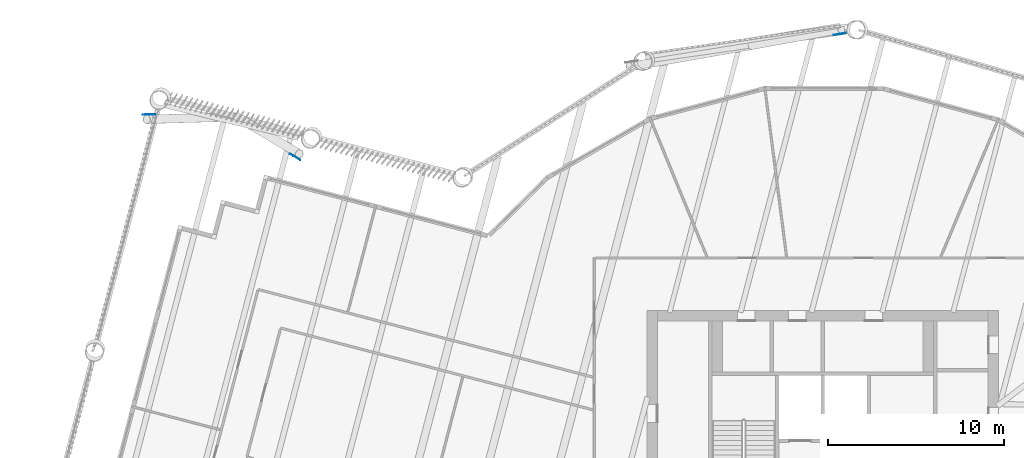
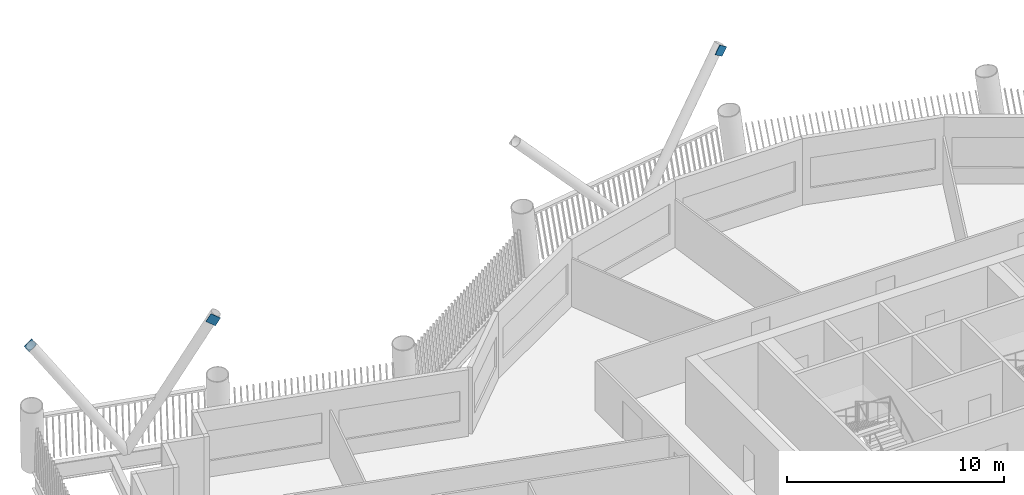
# One storey, part 13 of 21: 3 discrete accessories.
"""IFC4 building model written with IfcOpenShell, lengths in metres."""

import ifcopenshell
import ifcopenshell.guid

model = None  # the IFC model being written
_history = None  # IfcOwnerHistory: only IFC2X3 demands one
_inside = {}  # id of a spatial element -> (the spatial element, [elements in it])
_under = {}  # id of a project, library or spatial element -> (it, [spatial elements below it])
_declared = {}  # id of a project -> (the project, [libraries it declares])
_typed = {}  # id of a type object -> (the type object, [elements of that type])
_made_of = {}  # id of a material, layer set ... -> (it, [elements and type objects made of it])


def new_model(schema):
    """Start an empty IFC model of exactly this schema.

    Asked for "IFC4X3", IfcOpenShell would pick the latest addendum, in which some entities
    have other attributes; the version numbers below select the first issue.
    IFC2X3 requires an IfcOwnerHistory on every rooted entity: one is made here for all.
    """
    global model, _history
    if schema == "IFC4X3":
        model = ifcopenshell.file(schema_version=(4, 3, 0, 0))
    else:
        model = ifcopenshell.file(schema=schema)
    _inside.clear()
    _under.clear()
    _declared.clear()
    _typed.clear()
    _made_of.clear()
    _history = None
    if model.schema == "IFC2X3":
        org = make("IfcOrganization", Name="unknown")
        user = make(
            "IfcPersonAndOrganization",
            ThePerson=make("IfcPerson", FamilyName="unknown"),
            TheOrganization=org,
        )
        app = make(
            "IfcApplication",
            ApplicationDeveloper=org,
            Version="unknown",
            ApplicationFullName="unknown",
            ApplicationIdentifier="unknown",
        )
        _history = make(
            "IfcOwnerHistory",
            OwningUser=user,
            OwningApplication=app,
            ChangeAction="ADDED",
            CreationDate=0,
        )
    return model


def make(cls, **values):
    """One entity of the class cls with the attributes given. An attribute that is None is left unset."""
    return model.create_entity(
        cls, **{name: value for name, value in values.items() if value is not None}
    )


def rooted(cls, **values):
    """An entity with a GlobalId (a new one), such as an element, a storey or a relation."""
    return make(cls, GlobalId=ifcopenshell.guid.new(), OwnerHistory=_history, **values)


def si_unit(unit_type, name, prefix=None):
    """IfcSIUnit, for example si_unit("LENGTHUNIT", "METRE", prefix="MILLI")."""
    return make("IfcSIUnit", UnitType=unit_type, Prefix=prefix, Name=name)


def assignment(units):
    """IfcUnitAssignment: the units of a project."""
    return None if units is None else make("IfcUnitAssignment", Units=units)


def point(xyz):
    """IfcCartesianPoint."""
    return None if xyz is None else make("IfcCartesianPoint", Coordinates=xyz)


def direction(xyz):
    """IfcDirection."""
    return None if xyz is None else make("IfcDirection", DirectionRatios=xyz)


def frame(location, z_axis=None, x_axis=None):
    """IfcAxis2Placement3D, a coordinate frame: its origin and axes. An axis left out is left unset."""
    return make(
        "IfcAxis2Placement3D",
        Location=point(location),
        Axis=direction(z_axis),
        RefDirection=direction(x_axis),
    )


def frame_2d(location, x_axis=None):
    """IfcAxis2Placement2D, a coordinate frame in the plane: its origin and x axis."""
    return make(
        "IfcAxis2Placement2D", Location=point(location), RefDirection=direction(x_axis)
    )


def origin():
    """The frame at (0, 0, 0) with its axes left unset."""
    return frame((0.0, 0.0, 0.0))


def origin_2d():
    """The frame at (0, 0) in the plane with its x axis left unset."""
    return frame_2d((0.0, 0.0))


def place(relative_to, where):
    """IfcLocalPlacement: puts the frame where relative to a parent placement (None: the world)."""
    return make(
        "IfcLocalPlacement", PlacementRelTo=relative_to, RelativePlacement=where
    )


def context(
    kind, dimensions, precision=None, world=None, true_north=None, identifier=None
):
    """IfcGeometricRepresentationContext, for example the 3D "Model" context."""
    return make(
        "IfcGeometricRepresentationContext",
        ContextIdentifier=identifier,
        ContextType=kind,
        CoordinateSpaceDimension=dimensions,
        Precision=precision,
        WorldCoordinateSystem=world,
        TrueNorth=true_north,
    )


def subcontext(parent, identifier, kind, view, scale=None):
    """IfcGeometricRepresentationSubContext, for example "Body" below "Model"."""
    return make(
        "IfcGeometricRepresentationSubContext",
        ContextIdentifier=identifier,
        ContextType=kind,
        ParentContext=parent,
        TargetScale=scale,
        TargetView=view,
    )


def project(units=None, contexts=None):
    """IfcProject with its units and contexts."""
    return rooted(
        "IfcProject",
        Name="project",
        RepresentationContexts=contexts,
        UnitsInContext=assignment(units),
    )


def spatial(cls, under=None, at=None, **own):
    """A site, building, storey or space (cls), placed at a placement, below another one or the project."""
    s = rooted(cls, ObjectPlacement=at, **own)
    if under is not None:
        _under.setdefault(under.id(), (under, []))[1].append(s)
    return s


def profile(cls, at=None, kind="AREA", **sizes):
    """A parametric profile (cls). Its sizes go by their IFC names, for example OverallWidth=200.0."""
    return make(cls, ProfileType=kind, Position=at, **sizes)


def rectangle(**sizes):
    """IfcRectangleProfileDef."""
    return profile("IfcRectangleProfileDef", **sizes)


def extrude(swept, where, along, depth):
    """IfcExtrudedAreaSolid: the profile swept, set in the frame where, extruded along a direction by depth."""
    return make(
        "IfcExtrudedAreaSolid",
        SweptArea=swept,
        Position=where,
        ExtrudedDirection=direction(along),
        Depth=depth,
    )


def shape(context_of_items, identifier, shape_type, items):
    """IfcShapeRepresentation: the items that make up one representation, for example the "Body"."""
    return make(
        "IfcShapeRepresentation",
        ContextOfItems=context_of_items,
        RepresentationIdentifier=identifier,
        RepresentationType=shape_type,
        Items=items,
    )


def material(Name=None, Category=None):
    """IfcMaterial."""
    return make("IfcMaterial", Name=Name, Category=Category)


def material_profile(
    of_material, cross_section, Name=None, Category=None, Priority=None
):
    """IfcMaterialProfile: a cross section and its material."""
    return make(
        "IfcMaterialProfile",
        Name=Name,
        Material=of_material,
        Profile=cross_section,
        Priority=Priority,
        Category=Category,
    )


def profile_set(profiles, Name=None, composite=None):
    """IfcMaterialProfileSet."""
    return make(
        "IfcMaterialProfileSet",
        Name=Name,
        MaterialProfiles=profiles,
        CompositeProfile=composite,
    )


def made_of(thing, what):
    """Note that an element or type object is made of a material, layer set ...; save() writes the relation."""
    if what is not None:
        _made_of.setdefault(what.id(), (what, []))[1].append(thing)
    return thing


def type_object(cls, material=None, **own):
    """A type object (cls), such as IfcWallType, which elements share."""
    return made_of(rooted(cls, **own), material)


def element(
    cls,
    number,
    at=None,
    inside=None,
    cuts=None,
    type_object=None,
    material=None,
    context=None,
    identifier="Body",
    shape_type=None,
    held_by="IfcProductDefinitionShape",
    body=None,
    shapes=None,
    **own,
):
    """One element of the class cls, such as IfcWall. Its Tag is "e" and its number.

    at: its placement. inside: the storey or other place that contains it. cuts: it is an
    opening in that element (IfcRelVoidsElement). A single representation is given by context,
    identifier, shape_type and body (its items); several are given by shapes. held_by: the class
    of the entity that holds the representations. save() writes the other relations.
    """
    e = rooted(cls, Tag="e%d" % number, ObjectPlacement=at, **own)
    if body is not None:
        shapes = [shape(context, identifier, shape_type, body)]
    if shapes is not None:
        e.Representation = make(held_by, Representations=shapes)
    if inside is not None:
        _inside.setdefault(inside.id(), (inside, []))[1].append(e)
    if cuts is not None:
        rooted(
            "IfcRelVoidsElement", RelatingBuildingElement=cuts, RelatedOpeningElement=e
        )
    if type_object is not None:
        _typed.setdefault(type_object.id(), (type_object, []))[1].append(e)
    return made_of(e, material)


def aggregate(whole, parts):
    """IfcRelAggregates: a whole, such as a stair, and the parts it consists of."""
    return rooted("IfcRelAggregates", RelatingObject=whole, RelatedObjects=parts)


def save(model, path):
    """Write the relations noted so far, then the file.

    IfcRelAggregates (storeys below a building ...), IfcRelContainedInSpatialStructure (elements
    in a storey), IfcRelDefinesByType, IfcRelAssociatesMaterial and IfcRelDeclares: one each for
    every whole, place, type object, material and project.
    """
    for whole, parts in _under.values():
        aggregate(whole, parts)
    for where, things in _inside.values():
        rooted(
            "IfcRelContainedInSpatialStructure",
            RelatedElements=things,
            RelatingStructure=where,
        )
    for kind, things in _typed.values():
        rooted("IfcRelDefinesByType", RelatedObjects=things, RelatingType=kind)
    for what, things in _made_of.values():
        rooted("IfcRelAssociatesMaterial", RelatedObjects=things, RelatingMaterial=what)
    for by, libraries in _declared.values():
        rooted("IfcRelDeclares", RelatingContext=by, RelatedDefinitions=libraries)
    model.write(path)


model = new_model("IFC4")

# Units and contexts
model_context = context("Model", 3, precision=1e-05, world=origin(), true_north=direction((0.0, 1.0)))
body_context = subcontext(model_context, "Body", "Model", "MODEL_VIEW")
ifc_project = project(units=[si_unit("LENGTHUNIT", "METRE"), si_unit("AREAUNIT", "SQUARE_METRE"), si_unit("VOLUMEUNIT", "CUBIC_METRE"), si_unit("PLANEANGLEUNIT", "RADIAN"), si_unit("MASSUNIT", "GRAM", prefix="KILO")], contexts=[model_context])

# Site, building, storey
site_placement = place(None, origin())
site = spatial("IfcSite", under=ifc_project, at=site_placement, CompositionType="ELEMENT")
building_placement = place(site_placement, origin())
building = spatial("IfcBuilding", under=site, at=building_placement, Name="Tarsis Ring Headquarters", CompositionType="ELEMENT")
storey_placement = place(building_placement, frame((0.0, 0.0, 223.800048828125)))
storey = spatial("IfcBuildingStorey", under=building, at=storey_placement, Name="L52", CompositionType="ELEMENT", Elevation=223.800048828125)

# Discrete accessories
ifc_material = material(Name="Structural steel S355", Category="steel")
ifc_material_profile = material_profile(ifc_material, rectangle(XDim=0.02490234375, YDim=0.5, at=origin_2d()), Name="PL 25x500")
ifc_profile_set = profile_set([ifc_material_profile], Name="Structural steel S355")
discrete_accessory_type = type_object("IfcDiscreteAccessoryType", Name="Gusset plate Exo brace 25", PredefinedType="BRACKET", material=ifc_profile_set)
discrete_accessory_placement = place(storey_placement, frame((1.099365234375, 28.767333984375, 7.800048828125), z_axis=(-0.543858119185, -0.098617001863, -0.833362486041), x_axis=(0.178419055424, -0.983954592784, 0.0)))
element("IfcDiscreteAccessory", 1, at=discrete_accessory_placement, inside=storey, type_object=discrete_accessory_type, Name="Gusset plate GP5", PredefinedType="BRACKET", context=body_context, shape_type="SweptSolid", body=[
    extrude(rectangle(XDim=0.02490234375, YDim=0.5, at=origin_2d()), origin(), (0.0, 0.0, 1.0), 0.5),
])
for number, where, z_axis, x_axis, name in (
    (2, (-38.48193359375, 24.154052734375, 7.800048828125), (0.549101157212, 0.015618877361, -0.835609938798), (-0.028432944416, 0.999595702108, 0.0), "Gusset plate GP5"),
    (3, (-29.927978515625, 21.6923828125, 7.800048828125), (-0.402711024048, 0.239185941556, -0.883523580032), (-0.510659143261, -0.859783251409, 0.0), "Gusset plate GP5"),
):
    element("IfcDiscreteAccessory", number, at=place(storey_placement, frame(where, z_axis=z_axis, x_axis=x_axis)), inside=storey, type_object=discrete_accessory_type, Name=name, PredefinedType="BRACKET", context=body_context, shape_type="SweptSolid", body=[
        extrude(rectangle(XDim=0.02490234375, YDim=0.5, at=origin_2d()), origin(), (0.0, 0.0, 1.0), 0.500244140625),
    ])

save(model, "model.ifc")
